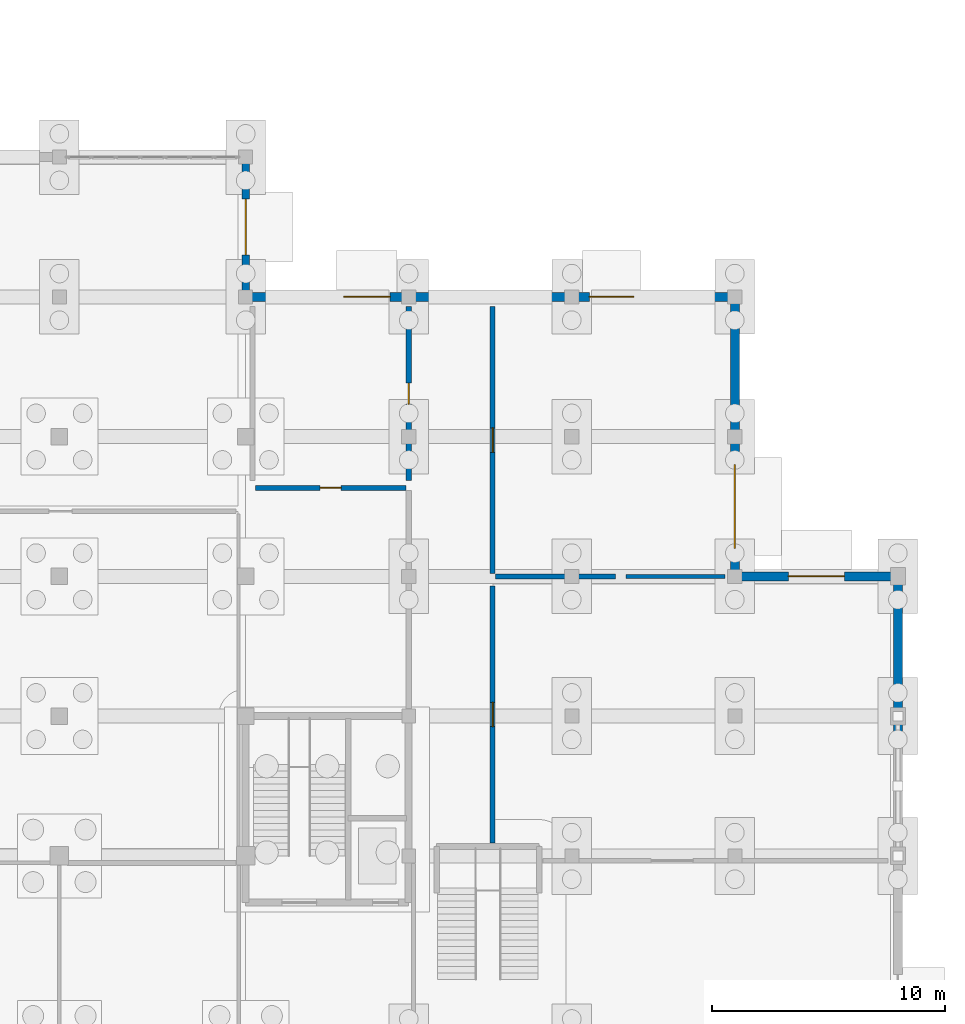
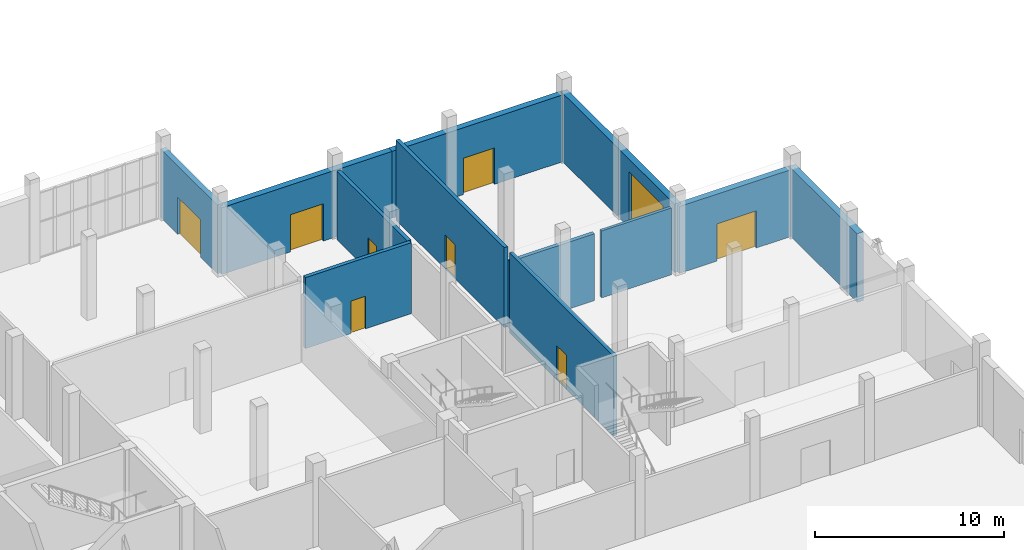
# One storey, part 51 of 69: 12 walls, 9 doors, 9 openings.
"""IFC4 building model written with IfcOpenShell, lengths in metres."""

from ifc_helpers import new_model, si_unit, direction, frame, frame_2d, origin, place, context, subcontext, project, spatial, rectangle, extrude, material, layer, layer_set, type_object, element, fill, save


model = new_model("IFC4")

# Units and contexts
model_context = context("Model", 3, precision=1e-05, world=origin(), true_north=direction((0.0, 1.0)))
body_context = subcontext(model_context, "Body", "Model", "MODEL_VIEW")
ifc_project = project(units=[si_unit("LENGTHUNIT", "METRE"), si_unit("AREAUNIT", "SQUARE_METRE"), si_unit("VOLUMEUNIT", "CUBIC_METRE"), si_unit("PLANEANGLEUNIT", "RADIAN"), si_unit("MASSUNIT", "GRAM", prefix="KILO")], contexts=[model_context])

# Site, building, storey
site_placement = place(None, origin())
site = spatial("IfcSite", under=ifc_project, at=site_placement, CompositionType="ELEMENT")
building_placement = place(site_placement, origin())
building = spatial("IfcBuilding", under=site, at=building_placement, Name="Solvane Community Centre", CompositionType="ELEMENT")
storey_placement = place(building_placement, origin())
storey = spatial("IfcBuildingStorey", under=building, at=storey_placement, Name="L00", CompositionType="ELEMENT", Elevation=0.0)

# Wall
ifc_material_1 = material(Name="Gypsum board partition")
ifc_layer_1 = layer(ifc_material_1, 0.169921875)
ifc_layer_set_1 = layer_set([ifc_layer_1], Name="Gypsum board partition")
wall_type_1 = type_object("IfcWallType", Name="Acoustic Partition 170mm [43x43dm]", PredefinedType="PARTITIONING", material=ifc_layer_set_1)
wall_1_placement = place(storey_placement, frame((156.320068359375, 42.0, 0.0), z_axis=(0.0, 0.0, 1.0), x_axis=(1.0, 0.0, 0.0)))
element("IfcWall", 1, at=wall_1_placement, inside=storey, type_object=wall_type_1, Name="Interior Wall WL-INT-L00-0218", PredefinedType="PARTITIONING", context=body_context, shape_type="SweptSolid", body=[
    extrude(rectangle(XDim=4.260009765625, YDim=0.169921875, at=frame_2d((2.1298828125, 0.0))), origin(), (0.0, 0.0, 1.0), 4.31494140625),
])

# Wall, opening, door
ifc_material_2 = material(Name="Terracotta clay masonry", Category="masonry")
ifc_layer_2 = layer(ifc_material_2, 0.3798828125)
ifc_layer_set_2 = layer_set([ifc_layer_2], Name="Terracotta clay masonry")
wall_type_2 = type_object("IfcWallType", Name="Art Deco Terracotta Plinth Wall 380mm [104x43dm]", PredefinedType="SOLIDWALL", material=ifc_layer_set_2)
wall_2_placement = place(storey_placement, frame((140.0, 54.0, 0.0), z_axis=(0.0, 0.0, 1.0), x_axis=(1.0, 0.0, 0.0)))
wall_2 = element("IfcWall", 2, at=wall_2_placement, inside=storey, type_object=wall_type_2, Name="Exterior Wall WL-EXT-L00-0050", PredefinedType="SOLIDWALL", context=body_context, shape_type="SweptSolid", body=[
    extrude(rectangle(XDim=10.39990234375, YDim=0.3798828125, at=frame_2d((5.199951171875, 0.0))), origin(), (0.0, 0.0, 1.0), 4.31494140625),
])
opening_1_placement = place(wall_2_placement, frame((4.199951171875, 0.0, 0.0)))
opening_1 = element("IfcOpeningElement", 3, at=opening_1_placement, cuts=wall_2, Name="Opening D01", PredefinedType="OPENING", context=body_context, shape_type="SweptSolid", body=[
    extrude(rectangle(XDim=2.0, YDim=2.39990234375, at=frame_2d((1.0, 1.199951171875))), frame((0.0, 0.199951171875, 0.0), z_axis=(0.0, -1.0, 0.0), x_axis=(1.0, 0.0, 0.0)), (0.0, 0.0, 1.0), 0.39990234375),
])
ifc_material_3 = material(Name="Anodised bronze aluminium AW-6063 T6", Category="aluminium")
door_type_1 = type_object("IfcDoorType", Name="Grand Boulevard Exit Pair 2000x2400", OperationType="NOTDEFINED", PredefinedType="DOOR", material=ifc_material_3)
door_1_placement = place(opening_1_placement, origin())
door_1 = element("IfcDoor", 4, at=door_1_placement, inside=storey, type_object=door_type_1, Name="L00-ED20", OperationType="DOUBLE_DOOR_SINGLE_SWING", OverallHeight=2.39990234375, OverallWidth=2.0, PredefinedType="DOOR", context=body_context, shape_type="SweptSolid", body=[
    extrude(rectangle(XDim=2.0, YDim=2.39990234375, at=frame_2d((1.0, 1.199951171875))), frame((0.0, 0.02490234375, 0.0), z_axis=(0.0, -1.0, 0.0), x_axis=(1.0, 0.0, 0.0)), (0.0, 0.0, 1.0), 0.050048828125),
])
fill(opening_1, door_1)

ifc_layer_3 = layer(ifc_material_2, 0.3798828125)
ifc_layer_set_3 = layer_set([ifc_layer_3], Name="Terracotta clay masonry")
wall_type_3 = type_object("IfcWallType", Name="Art Deco Terracotta Plinth Wall 380mm [106x43dm]", PredefinedType="SOLIDWALL", material=ifc_layer_set_3)
wall_3_placement = place(storey_placement, frame((150.39990234375, 54.0, 0.0), z_axis=(0.0, 0.0, 1.0), x_axis=(1.0, 0.0, 0.0)))
wall_3 = element("IfcWall", 5, at=wall_3_placement, inside=storey, type_object=wall_type_3, Name="Exterior Wall WL-EXT-L00-0051", PredefinedType="SOLIDWALL", context=body_context, shape_type="SweptSolid", body=[
    extrude(rectangle(XDim=10.60009765625, YDim=0.3798828125, at=frame_2d((5.300048828125, 0.0))), origin(), (0.0, 0.0, 1.0), 4.31494140625),
])
opening_2_placement = place(wall_3_placement, frame((4.35009765625, 0.0, 0.0)))
opening_2 = element("IfcOpeningElement", 6, at=opening_2_placement, cuts=wall_3, Name="Opening D06", PredefinedType="OPENING", context=body_context, shape_type="SweptSolid", body=[
    extrude(rectangle(XDim=1.89990234375, YDim=2.35009765625, at=frame_2d((0.949951171875, 1.175048828125))), frame((0.0, 0.199951171875, 0.0), z_axis=(0.0, -1.0, 0.0), x_axis=(1.0, 0.0, 0.0)), (0.0, 0.0, 1.0), 0.39990234375),
])
door_type_2 = type_object("IfcDoorType", Name="Courtyard Cloister Double Door 1900x2350", OperationType="NOTDEFINED", PredefinedType="DOOR", material=ifc_material_3)
door_2_placement = place(opening_2_placement, origin())
door_2 = element("IfcDoor", 7, at=door_2_placement, inside=storey, type_object=door_type_2, Name="L00-ED21", OperationType="DOUBLE_DOOR_SINGLE_SWING", OverallHeight=2.35009765625, OverallWidth=1.89990234375, PredefinedType="DOOR", context=body_context, shape_type="SweptSolid", body=[
    extrude(rectangle(XDim=1.89990234375, YDim=2.35009765625, at=frame_2d((0.949951171875, 1.175048828125))), frame((0.0, 0.02490234375, 0.0), z_axis=(0.0, -1.0, 0.0), x_axis=(1.0, 0.0, 0.0)), (0.0, 0.0, 1.0), 0.050048828125),
])
fill(opening_2, door_2)

ifc_layer_4 = layer(ifc_material_2, 0.3798828125)
ifc_layer_set_4 = layer_set([ifc_layer_4], Name="Terracotta clay masonry")
wall_type_4 = type_object("IfcWallType", Name="Art Deco Terracotta Plinth Wall 380mm [120x44dm]", PredefinedType="SOLIDWALL", material=ifc_layer_set_4)
wall_4_placement = place(storey_placement, frame((161.0, 54.0, 0.0), z_axis=(0.0, 0.0, 1.0), x_axis=(0.0, -1.0, 0.0)))
wall_4 = element("IfcWall", 8, at=wall_4_placement, inside=storey, type_object=wall_type_4, Name="Exterior Wall WL-EXT-L00-0057", PredefinedType="SOLIDWALL", context=body_context, shape_type="SweptSolid", body=[
    extrude(rectangle(XDim=12.0, YDim=0.3798828125, at=frame_2d((6.0, 0.0))), origin(), (0.0, 0.0, 1.0), 4.425048828125),
])
opening_3_placement = place(wall_4_placement, frame((7.199951171875, 0.0, 0.0)))
opening_3 = element("IfcOpeningElement", 9, at=opening_3_placement, cuts=wall_4, Name="Opening RS01", PredefinedType="OPENING", context=body_context, shape_type="SweptSolid", body=[
    extrude(rectangle(XDim=3.60009765625, YDim=3.60009765625, at=frame_2d((1.800048828125, 1.800048828125))), frame((0.0, 0.199951171875, 0.0), z_axis=(0.0, -1.0, 0.0), x_axis=(1.0, 0.0, 0.0)), (0.0, 0.0, 1.0), 0.39990234375),
])
door_type_3 = type_object("IfcDoorType", Name="Loading Dock Roller Shutter 3600x3600", OperationType="NOTDEFINED", PredefinedType="GATE", material=ifc_material_3)
door_3_placement = place(opening_3_placement, origin())
door_3 = element("IfcDoor", 10, at=door_3_placement, inside=storey, type_object=door_type_3, Name="L00-ED24", OperationType="ROLLINGUP", OverallHeight=3.60009765625, OverallWidth=3.60009765625, PredefinedType="GATE", context=body_context, shape_type="SweptSolid", body=[
    extrude(rectangle(XDim=3.60009765625, YDim=3.60009765625, at=frame_2d((1.800048828125, 1.800048828125))), frame((0.0, 0.02490234375, 0.0), z_axis=(0.0, -1.0, 0.0), x_axis=(1.0, 0.0, 0.0)), (0.0, 0.0, 1.0), 0.050048828125),
])
fill(opening_3, door_3)

ifc_layer_5 = layer(ifc_material_2, 0.3798828125)
ifc_layer_set_5 = layer_set([ifc_layer_5], Name="Terracotta clay masonry")
wall_type_5 = type_object("IfcWallType", Name="Art Deco Terracotta Plinth Wall 380mm [70x43dm]", PredefinedType="SOLIDWALL", material=ifc_layer_set_5)
wall_5_placement = place(storey_placement, frame((161.0, 42.0, 0.0), z_axis=(0.0, 0.0, 1.0), x_axis=(1.0, 0.0, 0.0)))
wall_5 = element("IfcWall", 11, at=wall_5_placement, inside=storey, type_object=wall_type_5, Name="Exterior Wall WL-EXT-L00-0058", PredefinedType="SOLIDWALL", context=body_context, shape_type="SweptSolid", body=[
    extrude(rectangle(XDim=7.0, YDim=0.3798828125, at=frame_2d((3.5, 0.0))), origin(), (0.0, 0.0, 1.0), 4.31494140625),
])
opening_4_placement = place(wall_5_placement, frame((2.300048828125, 0.0, 0.0)))
opening_4 = element("IfcOpeningElement", 12, at=opening_4_placement, cuts=wall_5, Name="Opening GT01", PredefinedType="OPENING", context=body_context, shape_type="SweptSolid", body=[
    extrude(rectangle(XDim=2.39990234375, YDim=2.39990234375, at=frame_2d((1.199951171875, 1.199951171875))), frame((0.0, 0.199951171875, 0.0), z_axis=(0.0, -1.0, 0.0), x_axis=(1.0, 0.0, 0.0)), (0.0, 0.0, 1.0), 0.39990234375),
])
door_type_4 = type_object("IfcDoorType", Name="Service Yard Gate Door 2400x2400", OperationType="NOTDEFINED", PredefinedType="GATE", material=ifc_material_3)
door_4_placement = place(opening_4_placement, origin())
door_4 = element("IfcDoor", 13, at=door_4_placement, inside=storey, type_object=door_type_4, Name="L00-ED25", OperationType="DOUBLE_DOOR_SINGLE_SWING", OverallHeight=2.39990234375, OverallWidth=2.39990234375, PredefinedType="GATE", context=body_context, shape_type="SweptSolid", body=[
    extrude(rectangle(XDim=2.39990234375, YDim=2.39990234375, at=frame_2d((1.199951171875, 1.199951171875))), frame((0.0, 0.02490234375, 0.0), z_axis=(0.0, -1.0, 0.0), x_axis=(1.0, 0.0, 0.0)), (0.0, 0.0, 1.0), 0.050048828125),
])
fill(opening_4, door_4)

# Wall
ifc_layer_6 = layer(ifc_material_2, 0.3798828125)
ifc_layer_set_6 = layer_set([ifc_layer_6], Name="Terracotta clay masonry")
wall_type_6 = type_object("IfcWallType", Name="Art Deco Terracotta Plinth Wall 380mm [72x44dm]", PredefinedType="SOLIDWALL", material=ifc_layer_set_6)
wall_6_placement = place(storey_placement, frame((168.0, 42.0, 0.0), z_axis=(0.0, 0.0, 1.0), x_axis=(0.0, -1.0, 0.0)))
element("IfcWall", 14, at=wall_6_placement, inside=storey, type_object=wall_type_6, Name="Exterior Wall WL-EXT-L00-0052", PredefinedType="SOLIDWALL", context=body_context, shape_type="SweptSolid", body=[
    extrude(rectangle(XDim=7.199951171875, YDim=0.3798828125, at=frame_2d((3.60009765625, 0.0))), origin(), (0.0, 0.0, 1.0), 4.425048828125),
])

# Wall, opening, door
ifc_layer_7 = layer(ifc_material_2, 0.320068359375)
ifc_layer_set_7 = layer_set([ifc_layer_7], Name="Terracotta clay masonry")
wall_type_7 = type_object("IfcWallType", Name="Courtyard Cloister Brick Wall 320mm [60x44dm]", PredefinedType="SOLIDWALL", material=ifc_layer_set_7)
wall_7_placement = place(storey_placement, frame((140.0, 60.0, 0.0), z_axis=(0.0, 0.0, 1.0), x_axis=(0.0, -1.0, 0.0)))
wall_7 = element("IfcWall", 15, at=wall_7_placement, inside=storey, type_object=wall_type_7, Name="Exterior Wall WL-EXT-L00-0060", PredefinedType="SOLIDWALL", context=body_context, shape_type="SweptSolid", body=[
    extrude(rectangle(XDim=6.0, YDim=0.320068359375, at=frame_2d((3.0, 0.0))), origin(), (0.0, 0.0, 1.0), 4.425048828125),
])
opening_5_placement = place(wall_7_placement, frame((1.800048828125, 0.0, 0.0)))
opening_5 = element("IfcOpeningElement", 16, at=opening_5_placement, cuts=wall_7, Name="Opening GT01", PredefinedType="OPENING", context=body_context, shape_type="SweptSolid", body=[
    extrude(rectangle(XDim=2.39990234375, YDim=2.39990234375, at=frame_2d((1.199951171875, 1.199951171875))), frame((0.0, 0.169921875, 0.0), z_axis=(0.0, -1.0, 0.0), x_axis=(1.0, 0.0, 0.0)), (0.0, 0.0, 1.0), 0.340087890625),
])
door_5_placement = place(opening_5_placement, origin())
door_5 = element("IfcDoor", 17, at=door_5_placement, inside=storey, type_object=door_type_4, Name="L00-ED27", OperationType="DOUBLE_DOOR_SINGLE_SWING", OverallHeight=2.39990234375, OverallWidth=2.39990234375, PredefinedType="GATE", context=body_context, shape_type="SweptSolid", body=[
    extrude(rectangle(XDim=2.39990234375, YDim=2.39990234375, at=frame_2d((1.199951171875, 1.199951171875))), frame((0.0, 0.02490234375, 0.0), z_axis=(0.0, -1.0, 0.0), x_axis=(1.0, 0.0, 0.0)), (0.0, 0.0, 1.0), 0.050048828125),
])
fill(opening_5, door_5)

ifc_layer_8 = layer(ifc_material_2, 0.219970703125)
ifc_layer_set_8 = layer_set([ifc_layer_8], Name="Terracotta clay masonry")
wall_type_8 = type_object("IfcWallType", Name="Masonry Compartment Wall 220mm [110x52dm]", PredefinedType="SOLIDWALL", material=ifc_layer_set_8)
wall_8_placement = place(storey_placement, frame((150.60009765625, 41.580078125, 0.0), z_axis=(0.0, 0.0, 1.0), x_axis=(0.0, -1.0, 0.0)))
wall_8 = element("IfcWall", 18, at=wall_8_placement, inside=storey, type_object=wall_type_8, Name="Interior Wall WL-INT-L00-0211", PredefinedType="SOLIDWALL", context=body_context, shape_type="SweptSolid", body=[
    extrude(rectangle(XDim=11.02001953125, YDim=0.219970703125, at=frame_2d((5.510009765625, 0.0))), origin(), (0.0, 0.0, 1.0), 5.159912109375),
])
opening_6_placement = place(wall_8_placement, frame((4.985107421875, 0.0, 0.0)))
opening_6 = element("IfcOpeningElement", 19, at=opening_6_placement, cuts=wall_8, Name="Opening FD01", PredefinedType="OPENING", context=body_context, shape_type="SweptSolid", body=[
    extrude(rectangle(XDim=1.050048828125, YDim=2.199951171875, at=frame_2d((0.52490234375, 1.10009765625))), frame((0.0, 0.119873046875, 0.0), z_axis=(0.0, -1.0, 0.0), x_axis=(1.0, 0.0, 0.0)), (0.0, 0.0, 1.0), 0.239990234375),
])
door_type_5 = type_object("IfcDoorType", Name="Compartment Fire Door 1050x2200", OperationType="NOTDEFINED", PredefinedType="DOOR", material=ifc_material_3)
door_6_placement = place(opening_6_placement, origin())
door_6 = element("IfcDoor", 20, at=door_6_placement, inside=storey, type_object=door_type_5, Name="L00-D073", OperationType="SINGLE_SWING_LEFT", OverallHeight=2.199951171875, OverallWidth=1.050048828125, PredefinedType="DOOR", context=body_context, shape_type="SweptSolid", body=[
    extrude(rectangle(XDim=1.050048828125, YDim=2.199951171875, at=frame_2d((0.52490234375, 1.10009765625))), frame((0.0, 0.02490234375, 0.0), z_axis=(0.0, -1.0, 0.0), x_axis=(1.0, 0.0, 0.0)), (0.0, 0.0, 1.0), 0.050048828125),
])
fill(opening_6, door_6)

ifc_layer_9 = layer(ifc_material_2, 0.219970703125)
ifc_layer_set_9 = layer_set([ifc_layer_9], Name="Terracotta clay masonry")
wall_type_9 = type_object("IfcWallType", Name="Masonry Compartment Wall 220mm [115x52dm]", PredefinedType="SOLIDWALL", material=ifc_layer_set_9)
wall_9_placement = place(storey_placement, frame((150.60009765625, 53.580078125, 0.0), z_axis=(0.0, 0.0, 1.0), x_axis=(0.0, -1.0, 0.0)))
wall_9 = element("IfcWall", 21, at=wall_9_placement, inside=storey, type_object=wall_type_9, Name="Interior Wall WL-INT-L00-0217", PredefinedType="SOLIDWALL", context=body_context, shape_type="SweptSolid", body=[
    extrude(rectangle(XDim=11.4599609375, YDim=0.219970703125, at=frame_2d((5.72998046875, 0.0))), origin(), (0.0, 0.0, 1.0), 5.159912109375),
])
opening_7_placement = place(wall_9_placement, frame((5.205078125, 0.0, 0.0)))
opening_7 = element("IfcOpeningElement", 22, at=opening_7_placement, cuts=wall_9, Name="Opening FD01", PredefinedType="OPENING", context=body_context, shape_type="SweptSolid", body=[
    extrude(rectangle(XDim=1.050048828125, YDim=2.199951171875, at=frame_2d((0.52490234375, 1.10009765625))), frame((0.0, 0.119873046875, 0.0), z_axis=(0.0, -1.0, 0.0), x_axis=(1.0, 0.0, 0.0)), (0.0, 0.0, 1.0), 0.239990234375),
])
door_7_placement = place(opening_7_placement, origin())
door_7 = element("IfcDoor", 23, at=door_7_placement, inside=storey, type_object=door_type_5, Name="L00-D076", OperationType="SINGLE_SWING_RIGHT", OverallHeight=2.199951171875, OverallWidth=1.050048828125, PredefinedType="DOOR", context=body_context, shape_type="SweptSolid", body=[
    extrude(rectangle(XDim=1.050048828125, YDim=2.199951171875, at=frame_2d((0.52490234375, 1.10009765625))), frame((0.0, 0.02490234375, 0.0), z_axis=(0.0, -1.0, 0.0), x_axis=(1.0, 0.0, 0.0)), (0.0, 0.0, 1.0), 0.050048828125),
])
fill(opening_7, door_7)

# Wall
ifc_layer_10 = layer(ifc_material_2, 0.219970703125)
ifc_layer_set_10 = layer_set([ifc_layer_10], Name="Terracotta clay masonry")
wall_type_10 = type_object("IfcWallType", Name="Masonry Compartment Wall 220mm [52x43dm]", PredefinedType="SOLIDWALL", material=ifc_layer_set_10)
wall_10_placement = place(storey_placement, frame((150.719970703125, 42.0, 0.0), z_axis=(0.0, 0.0, 1.0), x_axis=(1.0, 0.0, 0.0)))
element("IfcWall", 24, at=wall_10_placement, inside=storey, type_object=wall_type_10, Name="Interior Wall WL-INT-L00-0216", PredefinedType="SOLIDWALL", context=body_context, shape_type="SweptSolid", body=[
    extrude(rectangle(XDim=5.159912109375, YDim=0.219970703125, at=frame_2d((2.580078125, 0.0))), origin(), (0.0, 0.0, 1.0), 4.31494140625),
])

# Wall, opening, door
ifc_layer_11 = layer(ifc_material_2, 0.219970703125)
ifc_layer_set_11 = layer_set([ifc_layer_11], Name="Terracotta clay masonry")
wall_type_11 = type_object("IfcWallType", Name="Masonry Compartment Wall 220mm [65x46dm]", PredefinedType="SOLIDWALL", material=ifc_layer_set_11)
wall_11_placement = place(storey_placement, frame((146.8798828125, 45.800048828125, 0.0), z_axis=(0.0, 0.0, 1.0), x_axis=(-1.0, 0.0, 0.0)))
wall_11 = element("IfcWall", 25, at=wall_11_placement, inside=storey, type_object=wall_type_11, Name="Interior Wall WL-INT-L00-0212", PredefinedType="SOLIDWALL", context=body_context, shape_type="SweptSolid", body=[
    extrude(rectangle(XDim=6.4599609375, YDim=0.219970703125, at=frame_2d((3.22998046875, 0.0))), origin(), (0.0, 0.0, 1.0), 4.5849609375),
])
opening_8_placement = place(wall_11_placement, frame((2.780029296875, 0.0, 0.0)))
opening_8 = element("IfcOpeningElement", 26, at=opening_8_placement, cuts=wall_11, Name="Opening TD01", PredefinedType="OPENING", context=body_context, shape_type="SweptSolid", body=[
    extrude(rectangle(XDim=0.89990234375, YDim=2.10009765625, at=frame_2d((0.449951171875, 1.050048828125))), frame((0.0, 0.119873046875, 0.0), z_axis=(0.0, -1.0, 0.0), x_axis=(1.0, 0.0, 0.0)), (0.0, 0.0, 1.0), 0.239990234375),
])
door_type_6 = type_object("IfcDoorType", Name="Plant & Store Access Trapdoor 900x2100", OperationType="NOTDEFINED", PredefinedType="TRAPDOOR", material=ifc_material_3)
door_8_placement = place(opening_8_placement, origin())
door_8 = element("IfcDoor", 27, at=door_8_placement, inside=storey, type_object=door_type_6, Name="L00-D074", OperationType="SINGLE_SWING_RIGHT", OverallHeight=2.10009765625, OverallWidth=0.89990234375, PredefinedType="TRAPDOOR", context=body_context, shape_type="SweptSolid", body=[
    extrude(rectangle(XDim=0.89990234375, YDim=2.10009765625, at=frame_2d((0.449951171875, 1.050048828125))), frame((0.0, 0.02490234375, 0.0), z_axis=(0.0, -1.0, 0.0), x_axis=(1.0, 0.0, 0.0)), (0.0, 0.0, 1.0), 0.050048828125),
])
fill(opening_8, door_8)

ifc_layer_12 = layer(ifc_material_2, 0.219970703125)
ifc_layer_set_12 = layer_set([ifc_layer_12], Name="Terracotta clay masonry")
wall_type_12 = type_object("IfcWallType", Name="Masonry Compartment Wall 220mm [75x44dm]", PredefinedType="SOLIDWALL", material=ifc_layer_set_12)
wall_12_placement = place(storey_placement, frame((147.0, 46.1201171875, 0.0), z_axis=(0.0, 0.0, 1.0), x_axis=(0.0, 1.0, 0.0)))
wall_12 = element("IfcWall", 28, at=wall_12_placement, inside=storey, type_object=wall_type_12, Name="Interior Wall WL-INT-L00-0214", PredefinedType="SOLIDWALL", context=body_context, shape_type="SweptSolid", body=[
    extrude(rectangle(XDim=7.4599609375, YDim=0.219970703125, at=frame_2d((3.72998046875, 0.0))), origin(), (0.0, 0.0, 1.0), 4.425048828125),
])
opening_9_placement = place(wall_12_placement, frame((3.280029296875, 0.0, 0.0)))
opening_9 = element("IfcOpeningElement", 29, at=opening_9_placement, cuts=wall_12, Name="Opening TD01", PredefinedType="OPENING", context=body_context, shape_type="SweptSolid", body=[
    extrude(rectangle(XDim=0.89990234375, YDim=2.10009765625, at=frame_2d((0.449951171875, 1.050048828125))), frame((0.0, 0.119873046875, 0.0), z_axis=(0.0, -1.0, 0.0), x_axis=(1.0, 0.0, 0.0)), (0.0, 0.0, 1.0), 0.239990234375),
])
door_9_placement = place(opening_9_placement, origin())
door_9 = element("IfcDoor", 30, at=door_9_placement, inside=storey, type_object=door_type_6, Name="L00-D075", OperationType="SINGLE_SWING_LEFT", OverallHeight=2.10009765625, OverallWidth=0.89990234375, PredefinedType="TRAPDOOR", context=body_context, shape_type="SweptSolid", body=[
    extrude(rectangle(XDim=0.89990234375, YDim=2.10009765625, at=frame_2d((0.449951171875, 1.050048828125))), frame((0.0, 0.02490234375, 0.0), z_axis=(0.0, -1.0, 0.0), x_axis=(1.0, 0.0, 0.0)), (0.0, 0.0, 1.0), 0.050048828125),
])
fill(opening_9, door_9)

save(model, "model.ifc")
